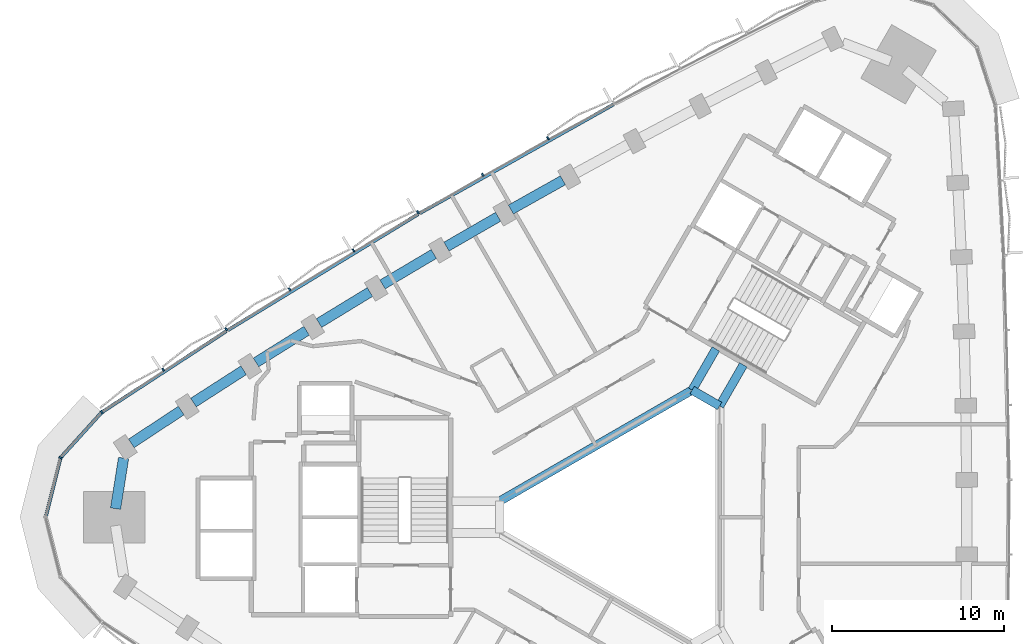
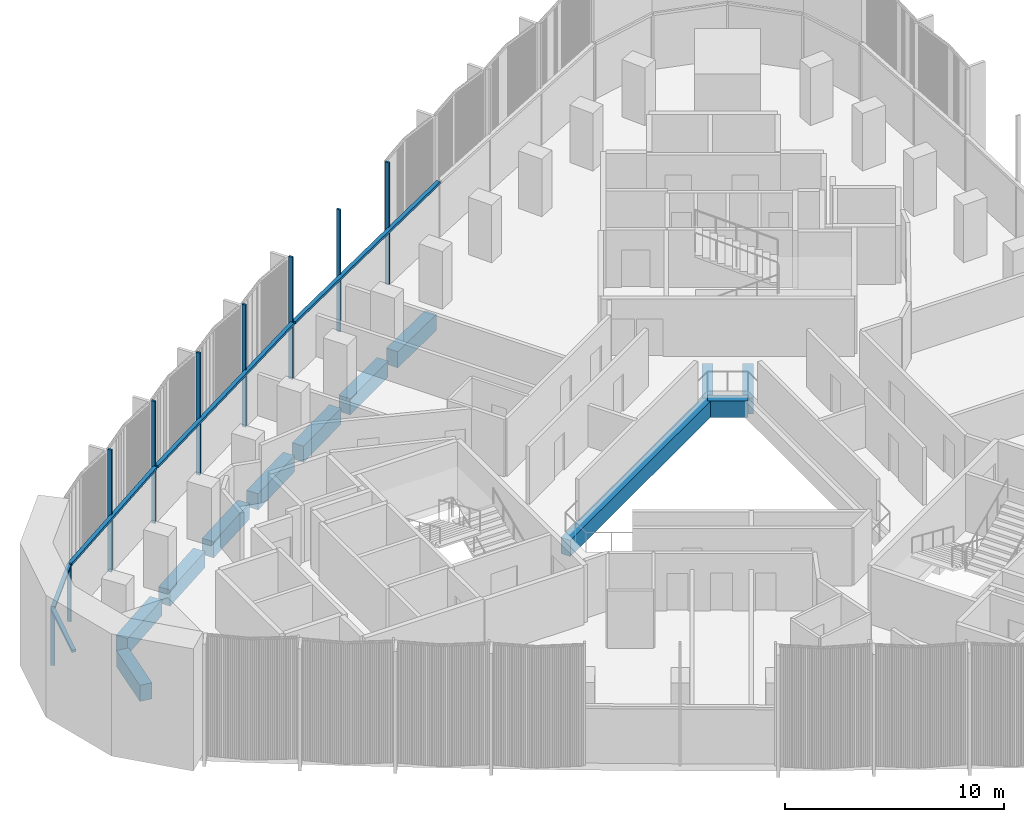
# One storey, part 4 of 14: 14 members, 12 beams, 1 element without a shape of its own.
"""IFC4 building model written with IfcOpenShell, lengths in metres."""

import ifcopenshell
import ifcopenshell.guid

model = None  # the IFC model being written
_history = None  # IfcOwnerHistory: only IFC2X3 demands one
_inside = {}  # id of a spatial element -> (the spatial element, [elements in it])
_under = {}  # id of a project, library or spatial element -> (it, [spatial elements below it])
_declared = {}  # id of a project -> (the project, [libraries it declares])
_typed = {}  # id of a type object -> (the type object, [elements of that type])
_made_of = {}  # id of a material, layer set ... -> (it, [elements and type objects made of it])


def new_model(schema):
    """Start an empty IFC model of exactly this schema.

    Asked for "IFC4X3", IfcOpenShell would pick the latest addendum, in which some entities
    have other attributes; the version numbers below select the first issue.
    IFC2X3 requires an IfcOwnerHistory on every rooted entity: one is made here for all.
    """
    global model, _history
    if schema == "IFC4X3":
        model = ifcopenshell.file(schema_version=(4, 3, 0, 0))
    else:
        model = ifcopenshell.file(schema=schema)
    _inside.clear()
    _under.clear()
    _declared.clear()
    _typed.clear()
    _made_of.clear()
    _history = None
    if model.schema == "IFC2X3":
        org = make("IfcOrganization", Name="unknown")
        user = make(
            "IfcPersonAndOrganization",
            ThePerson=make("IfcPerson", FamilyName="unknown"),
            TheOrganization=org,
        )
        app = make(
            "IfcApplication",
            ApplicationDeveloper=org,
            Version="unknown",
            ApplicationFullName="unknown",
            ApplicationIdentifier="unknown",
        )
        _history = make(
            "IfcOwnerHistory",
            OwningUser=user,
            OwningApplication=app,
            ChangeAction="ADDED",
            CreationDate=0,
        )
    return model


def make(cls, **values):
    """One entity of the class cls with the attributes given. An attribute that is None is left unset."""
    return model.create_entity(
        cls, **{name: value for name, value in values.items() if value is not None}
    )


def rooted(cls, **values):
    """An entity with a GlobalId (a new one), such as an element, a storey or a relation."""
    return make(cls, GlobalId=ifcopenshell.guid.new(), OwnerHistory=_history, **values)


def si_unit(unit_type, name, prefix=None):
    """IfcSIUnit, for example si_unit("LENGTHUNIT", "METRE", prefix="MILLI")."""
    return make("IfcSIUnit", UnitType=unit_type, Prefix=prefix, Name=name)


def assignment(units):
    """IfcUnitAssignment: the units of a project."""
    return None if units is None else make("IfcUnitAssignment", Units=units)


def point(xyz):
    """IfcCartesianPoint."""
    return None if xyz is None else make("IfcCartesianPoint", Coordinates=xyz)


def direction(xyz):
    """IfcDirection."""
    return None if xyz is None else make("IfcDirection", DirectionRatios=xyz)


def frame(location, z_axis=None, x_axis=None):
    """IfcAxis2Placement3D, a coordinate frame: its origin and axes. An axis left out is left unset."""
    return make(
        "IfcAxis2Placement3D",
        Location=point(location),
        Axis=direction(z_axis),
        RefDirection=direction(x_axis),
    )


def frame_2d(location, x_axis=None):
    """IfcAxis2Placement2D, a coordinate frame in the plane: its origin and x axis."""
    return make(
        "IfcAxis2Placement2D", Location=point(location), RefDirection=direction(x_axis)
    )


def origin():
    """The frame at (0, 0, 0) with its axes left unset."""
    return frame((0.0, 0.0, 0.0))


def origin_2d():
    """The frame at (0, 0) in the plane with its x axis left unset."""
    return frame_2d((0.0, 0.0))


def place(relative_to, where):
    """IfcLocalPlacement: puts the frame where relative to a parent placement (None: the world)."""
    return make(
        "IfcLocalPlacement", PlacementRelTo=relative_to, RelativePlacement=where
    )


def context(
    kind, dimensions, precision=None, world=None, true_north=None, identifier=None
):
    """IfcGeometricRepresentationContext, for example the 3D "Model" context."""
    return make(
        "IfcGeometricRepresentationContext",
        ContextIdentifier=identifier,
        ContextType=kind,
        CoordinateSpaceDimension=dimensions,
        Precision=precision,
        WorldCoordinateSystem=world,
        TrueNorth=true_north,
    )


def subcontext(parent, identifier, kind, view, scale=None):
    """IfcGeometricRepresentationSubContext, for example "Body" below "Model"."""
    return make(
        "IfcGeometricRepresentationSubContext",
        ContextIdentifier=identifier,
        ContextType=kind,
        ParentContext=parent,
        TargetScale=scale,
        TargetView=view,
    )


def project(units=None, contexts=None):
    """IfcProject with its units and contexts."""
    return rooted(
        "IfcProject",
        Name="project",
        RepresentationContexts=contexts,
        UnitsInContext=assignment(units),
    )


def spatial(cls, under=None, at=None, **own):
    """A site, building, storey or space (cls), placed at a placement, below another one or the project."""
    s = rooted(cls, ObjectPlacement=at, **own)
    if under is not None:
        _under.setdefault(under.id(), (under, []))[1].append(s)
    return s


def profile(cls, at=None, kind="AREA", **sizes):
    """A parametric profile (cls). Its sizes go by their IFC names, for example OverallWidth=200.0."""
    return make(cls, ProfileType=kind, Position=at, **sizes)


def rectangle(**sizes):
    """IfcRectangleProfileDef."""
    return profile("IfcRectangleProfileDef", **sizes)


def extrude(swept, where, along, depth):
    """IfcExtrudedAreaSolid: the profile swept, set in the frame where, extruded along a direction by depth."""
    return make(
        "IfcExtrudedAreaSolid",
        SweptArea=swept,
        Position=where,
        ExtrudedDirection=direction(along),
        Depth=depth,
    )


def shape(context_of_items, identifier, shape_type, items):
    """IfcShapeRepresentation: the items that make up one representation, for example the "Body"."""
    return make(
        "IfcShapeRepresentation",
        ContextOfItems=context_of_items,
        RepresentationIdentifier=identifier,
        RepresentationType=shape_type,
        Items=items,
    )


def material(Name=None, Category=None):
    """IfcMaterial."""
    return make("IfcMaterial", Name=Name, Category=Category)


def material_profile(
    of_material, cross_section, Name=None, Category=None, Priority=None
):
    """IfcMaterialProfile: a cross section and its material."""
    return make(
        "IfcMaterialProfile",
        Name=Name,
        Material=of_material,
        Profile=cross_section,
        Priority=Priority,
        Category=Category,
    )


def profile_set(profiles, Name=None, composite=None):
    """IfcMaterialProfileSet."""
    return make(
        "IfcMaterialProfileSet",
        Name=Name,
        MaterialProfiles=profiles,
        CompositeProfile=composite,
    )


def made_of(thing, what):
    """Note that an element or type object is made of a material, layer set ...; save() writes the relation."""
    if what is not None:
        _made_of.setdefault(what.id(), (what, []))[1].append(thing)
    return thing


def type_object(cls, material=None, **own):
    """A type object (cls), such as IfcWallType, which elements share."""
    return made_of(rooted(cls, **own), material)


def element(
    cls,
    number,
    at=None,
    inside=None,
    cuts=None,
    type_object=None,
    material=None,
    context=None,
    identifier="Body",
    shape_type=None,
    held_by="IfcProductDefinitionShape",
    body=None,
    shapes=None,
    **own,
):
    """One element of the class cls, such as IfcWall. Its Tag is "e" and its number.

    at: its placement. inside: the storey or other place that contains it. cuts: it is an
    opening in that element (IfcRelVoidsElement). A single representation is given by context,
    identifier, shape_type and body (its items); several are given by shapes. held_by: the class
    of the entity that holds the representations. save() writes the other relations.
    """
    e = rooted(cls, Tag="e%d" % number, ObjectPlacement=at, **own)
    if body is not None:
        shapes = [shape(context, identifier, shape_type, body)]
    if shapes is not None:
        e.Representation = make(held_by, Representations=shapes)
    if inside is not None:
        _inside.setdefault(inside.id(), (inside, []))[1].append(e)
    if cuts is not None:
        rooted(
            "IfcRelVoidsElement", RelatingBuildingElement=cuts, RelatedOpeningElement=e
        )
    if type_object is not None:
        _typed.setdefault(type_object.id(), (type_object, []))[1].append(e)
    return made_of(e, material)


def aggregate(whole, parts):
    """IfcRelAggregates: a whole, such as a stair, and the parts it consists of."""
    return rooted("IfcRelAggregates", RelatingObject=whole, RelatedObjects=parts)


def save(model, path):
    """Write the relations noted so far, then the file.

    IfcRelAggregates (storeys below a building ...), IfcRelContainedInSpatialStructure (elements
    in a storey), IfcRelDefinesByType, IfcRelAssociatesMaterial and IfcRelDeclares: one each for
    every whole, place, type object, material and project.
    """
    for whole, parts in _under.values():
        aggregate(whole, parts)
    for where, things in _inside.values():
        rooted(
            "IfcRelContainedInSpatialStructure",
            RelatedElements=things,
            RelatingStructure=where,
        )
    for kind, things in _typed.values():
        rooted("IfcRelDefinesByType", RelatedObjects=things, RelatingType=kind)
    for what, things in _made_of.values():
        rooted("IfcRelAssociatesMaterial", RelatedObjects=things, RelatingMaterial=what)
    for by, libraries in _declared.values():
        rooted("IfcRelDeclares", RelatingContext=by, RelatedDefinitions=libraries)
    model.write(path)


model = new_model("IFC4")

# Units and contexts
model_context = context("Model", 3, precision=1e-05, world=origin(), true_north=direction((0.0, 1.0)))
body_context = subcontext(model_context, "Body", "Model", "MODEL_VIEW")
ifc_project = project(units=[si_unit("LENGTHUNIT", "METRE"), si_unit("AREAUNIT", "SQUARE_METRE"), si_unit("VOLUMEUNIT", "CUBIC_METRE"), si_unit("PLANEANGLEUNIT", "RADIAN"), si_unit("MASSUNIT", "GRAM", prefix="KILO")], contexts=[model_context])

# Site, building, storey
site_placement = place(None, origin())
site = spatial("IfcSite", under=ifc_project, at=site_placement, CompositionType="ELEMENT")
building_placement = place(site_placement, origin())
building = spatial("IfcBuilding", under=site, at=building_placement, Name="Tamra Quay Hotel Tower", CompositionType="ELEMENT")
storey_placement = place(building_placement, frame((0.0, 0.0, 139.60009765625)))
storey = spatial("IfcBuildingStorey", under=building, at=storey_placement, Name="L34", CompositionType="ELEMENT", Elevation=139.60009765625)

# Beams
ifc_material_1 = material(Name="Concrete M60", Category="concrete")
ifc_material_profile_1 = material_profile(ifc_material_1, rectangle(XDim=0.5, YDim=0.89990234375, at=origin_2d()), Name="ATRIUM EDGE BEAM RC 500x900")
ifc_profile_set_1 = profile_set([ifc_material_profile_1], Name="Concrete M60")
beam_type_1 = type_object("IfcBeamType", Name="ATRIUM EDGE BEAM RC 500x900", PredefinedType="BEAM", material=ifc_profile_set_1)
beam_1_placement = place(storey_placement, frame((-8.0, 0.923828125, -0.85009765625), z_axis=(0.866024942741, 0.500000798549, 0.0), x_axis=(-0.500000798549, 0.866024942741, 0.0)))
element("IfcBeam", 1, at=beam_1_placement, inside=storey, type_object=beam_type_1, Name="BM-AB4-L34", PredefinedType="BEAM", context=body_context, shape_type="SweptSolid", body=[
    extrude(rectangle(XDim=0.5, YDim=0.89990234375, at=origin_2d()), origin(), (0.0, 0.0, 1.0), 12.9326171875),
])
beam_2_placement = place(storey_placement, frame((3.199951171875, 7.39013671875, -0.85009765625), z_axis=(0.86602275259, -0.500004591975, 0.0), x_axis=(0.500004591975, 0.86602275259, 0.0)))
element("IfcBeam", 2, at=beam_2_placement, inside=storey, type_object=beam_type_1, Name="BM-AB5-L34", PredefinedType="BEAM", context=body_context, shape_type="SweptSolid", body=[
    extrude(rectangle(XDim=0.5, YDim=0.89990234375, at=origin_2d()), origin(), (0.0, 0.0, 1.0), 1.84765625),
])
ifc_material_profile_2 = material_profile(ifc_material_1, rectangle(XDim=0.5, YDim=0.89990234375, at=origin_2d()), Name="ATRIUM TIE BEAM RC 500x900")
ifc_profile_set_2 = profile_set([ifc_material_profile_2], Name="Concrete M60")
beam_type_2 = type_object("IfcBeamType", Name="ATRIUM TIE BEAM RC 500x900", PredefinedType="BEAM", material=ifc_profile_set_2)
for number, where, z_axis, x_axis, name in (
    (3, (4.800048828125, 6.46630859375, -0.85009765625), (0.500008091576, 0.86602073206, 0.0), (-0.86602073206, 0.500008091576, 0.0), "BM-TIE-0-L34"),
    (4, (3.199951171875, 7.39013671875, -0.85009765625), (0.500008091576, 0.86602073206, 0.0), (-0.86602073206, 0.500008091576, 0.0), "BM-TIE-5-L34"),
):
    element("IfcBeam", number, at=place(storey_placement, frame(where, z_axis=z_axis, x_axis=x_axis)), inside=storey, type_object=beam_type_2, Name=name, PredefinedType="BEAM", context=body_context, shape_type="SweptSolid", body=[
        extrude(rectangle(XDim=0.5, YDim=0.89990234375, at=origin_2d()), origin(), (0.0, 0.0, 1.0), 2.76220703125),
    ])

# Curtain wall, members
ifc_material_2 = material(Name="Aluminium 6063 anodised dark grey", Category="aluminium")
curtain_wall_type = type_object("IfcCurtainWallType", Name="CW2 CURTAIN WALL", PredefinedType="NOTDEFINED", material=ifc_material_2)
curtain_wall_placement = place(storey_placement, origin())
curtain_wall = element("IfcCurtainWall", 5, at=curtain_wall_placement, inside=storey, type_object=curtain_wall_type, Name="CW2 north-west face L34", PredefinedType="NOTDEFINED")
ifc_material_profile_3 = material_profile(ifc_material_2, rectangle(XDim=0.199951171875, YDim=0.10009765625, at=origin_2d()), Name="MULLION 100X200")
ifc_profile_set_3 = profile_set([ifc_material_profile_3], Name="Aluminium 6063 anodised dark grey")
member_type_1 = type_object("IfcMemberType", Name="MULLION CW2 Z3", PredefinedType="MULLION", material=ifc_profile_set_3)
member_1_placement = place(storey_placement, frame((-5.185546875, 22.039306640625, 0.0), z_axis=(0.0, 0.0, 1.0), x_axis=(-0.484394695404, 0.874849575107, 0.0)))
member_1 = element("IfcMember", 6, at=member_1_placement, type_object=member_type_1, Name="CW2 mullion L34.NW.5", PredefinedType="MULLION", context=body_context, shape_type="SweptSolid", body=[
    extrude(rectangle(XDim=0.199951171875, YDim=0.10009765625, at=origin_2d()), origin(), (0.0, 0.0, 1.0), 6.7998046875),
])
member_2_placement = place(storey_placement, frame((-8.98046875, 19.908447265625, 0.0), z_axis=(0.0, 0.0, 1.0), x_axis=(-0.494813499493, 0.86899919489, 0.0)))
member_2 = element("IfcMember", 7, at=member_2_placement, type_object=member_type_1, Name="CW2 mullion L34.NW.6", PredefinedType="MULLION", context=body_context, shape_type="SweptSolid", body=[
    extrude(rectangle(XDim=0.199951171875, YDim=0.10009765625, at=origin_2d()), origin(), (0.0, 0.0, 1.0), 6.7998046875),
])
member_3_placement = place(storey_placement, frame((-12.7509765625, 17.731689453125, 0.0), z_axis=(0.0, 0.0, 1.0), x_axis=(-0.505168628897, 0.863020658141, 0.0)))
member_3 = element("IfcMember", 8, at=member_3_placement, type_object=member_type_1, Name="CW2 mullion L34.NW.7", PredefinedType="MULLION", context=body_context, shape_type="SweptSolid", body=[
    extrude(rectangle(XDim=0.199951171875, YDim=0.10009765625, at=origin_2d()), origin(), (0.0, 0.0, 1.0), 6.7998046875),
])
member_4_placement = place(storey_placement, frame((-16.493896484375, 15.510498046875, 0.0), z_axis=(0.0, 0.0, 1.0), x_axis=(-0.515444608831, 0.856922899231, 0.0)))
member_4 = element("IfcMember", 9, at=member_4_placement, type_object=member_type_1, Name="CW2 mullion L34.NW.8", PredefinedType="MULLION", context=body_context, shape_type="SweptSolid", body=[
    extrude(rectangle(XDim=0.199951171875, YDim=0.10009765625, at=origin_2d()), origin(), (0.0, 0.0, 1.0), 6.7998046875),
])
member_5_placement = place(storey_placement, frame((-20.211181640625, 13.244140625, 0.0), z_axis=(0.0, 0.0, 1.0), x_axis=(-0.525646070237, 0.850703361251, 0.0)))
member_5 = element("IfcMember", 10, at=member_5_placement, type_object=member_type_1, Name="CW2 mullion L34.NW.9", PredefinedType="MULLION", context=body_context, shape_type="SweptSolid", body=[
    extrude(rectangle(XDim=0.199951171875, YDim=0.10009765625, at=origin_2d()), origin(), (0.0, 0.0, 1.0), 6.7998046875),
])
member_6_placement = place(storey_placement, frame((-23.9013671875, 10.93359375, 0.0), z_axis=(0.0, 0.0, 1.0), x_axis=(-0.535760469724, 0.844370013135, 0.0)))
member_6 = element("IfcMember", 11, at=member_6_placement, type_object=member_type_1, Name="CW2 mullion L34.NW.10", PredefinedType="MULLION", context=body_context, shape_type="SweptSolid", body=[
    extrude(rectangle(XDim=0.199951171875, YDim=0.10009765625, at=origin_2d()), origin(), (0.0, 0.0, 1.0), 6.7998046875),
])
member_7_placement = place(storey_placement, frame((-27.562255859375, 8.580078125, 0.0), z_axis=(0.0, 0.0, 1.0), x_axis=(-0.545780333841, 0.83792829478, 0.0)))
member_7 = element("IfcMember", 12, at=member_7_placement, type_object=member_type_1, Name="CW2 mullion L34.NW.11", PredefinedType="MULLION", context=body_context, shape_type="SweptSolid", body=[
    extrude(rectangle(XDim=0.199951171875, YDim=0.10009765625, at=origin_2d()), origin(), (0.0, 0.0, 1.0), 6.7998046875),
])
member_8_placement = place(storey_placement, frame((-31.139892578125, 6.099365234375, 0.0), z_axis=(0.0, 0.0, 1.0), x_axis=(-0.650989203966, 0.759086988638, 0.0)))
member_8 = element("IfcMember", 13, at=member_8_placement, type_object=member_type_1, Name="CW2 mullion L34.NW.12", PredefinedType="MULLION", context=body_context, shape_type="SweptSolid", body=[
    extrude(rectangle(XDim=0.199951171875, YDim=0.10009765625, at=origin_2d()), origin(), (0.0, 0.0, 1.0), 3.199951171875),
])
member_9_placement = place(storey_placement, frame((-33.533935546875, 3.4580078125, 0.0), z_axis=(0.0, 0.0, 1.0), x_axis=(-0.881925145425, 0.47138947577, 0.0)))
member_9 = element("IfcMember", 14, at=member_9_placement, type_object=member_type_1, Name="CW2 mullion L34.NW.13", PredefinedType="MULLION", context=body_context, shape_type="SweptSolid", body=[
    extrude(rectangle(XDim=0.199951171875, YDim=0.10009765625, at=origin_2d()), origin(), (0.0, 0.0, 1.0), 3.199951171875),
])

# Beams
ifc_material_profile_4 = material_profile(ifc_material_1, rectangle(XDim=0.60009765625, YDim=0.89990234375, at=origin_2d()), Name="SPANDREL BEAM RC 600x900")
ifc_profile_set_4 = profile_set([ifc_material_profile_4], Name="Concrete M60")
beam_type_3 = type_object("IfcBeamType", Name="SPANDREL BEAM RC 600x900", PredefinedType="SPANDREL", material=ifc_profile_set_4)
beam_3_placement = place(storey_placement, frame((-4.315185546875, 19.59130859375, -0.85009765625), z_axis=(-0.871956406858, -0.489583521516, 0.0), x_axis=(0.489583521516, -0.871956406858, 0.0)))
element("IfcBeam", 15, at=beam_3_placement, inside=storey, type_object=beam_type_3, Name="BM-SP3-017-L34", PredefinedType="SPANDREL", context=body_context, shape_type="SweptSolid", body=[
    extrude(rectangle(XDim=0.60009765625, YDim=0.89990234375, at=origin_2d()), origin(), (0.0, 0.0, 1.0), 3.47265625),
])
beam_4_placement = place(storey_placement, frame((-8.081787109375, 17.470458984375, -0.85009765625), z_axis=(-0.866032201241, -0.499988226275, 0.0), x_axis=(0.499988226275, -0.866032201241, 0.0)))
element("IfcBeam", 16, at=beam_4_placement, inside=storey, type_object=beam_type_3, Name="BM-SP3-018-L34", PredefinedType="SPANDREL", context=body_context, shape_type="SweptSolid", body=[
    extrude(rectangle(XDim=0.60009765625, YDim=0.89990234375, at=origin_2d()), origin(), (0.0, 0.0, 1.0), 3.47216796875),
])
beam_5_placement = place(storey_placement, frame((-11.822509765625, 15.304931640625, -0.85009765625), z_axis=(-0.859988767784, -0.510312962098, 0.0), x_axis=(0.510312962098, -0.859988767784, 0.0)))
element("IfcBeam", 17, at=beam_5_placement, inside=storey, type_object=beam_type_3, Name="BM-SP3-019-L34", PredefinedType="SPANDREL", context=body_context, shape_type="SweptSolid", body=[
    extrude(rectangle(XDim=0.60009765625, YDim=0.89990234375, at=origin_2d()), origin(), (0.0, 0.0, 1.0), 3.472900390625),
])
for number, where, z_axis, x_axis, name in (
    (18, (-15.53759765625, 13.094482421875, -0.85009765625), (-0.853835813207, -0.520542413339, 0.0), (0.520542413339, -0.853835813207, 0.0), "BM-SP3-020-L34"),
    (19, (-19.225341796875, 10.840087890625, -0.85009765625), (-0.847547681474, -0.530719255, 0.0), (0.530719255, -0.847547681474, 0.0), "BM-SP3-021-L34"),
):
    element("IfcBeam", number, at=place(storey_placement, frame(where, z_axis=z_axis, x_axis=x_axis)), inside=storey, type_object=beam_type_3, Name=name, PredefinedType="SPANDREL", context=body_context, shape_type="SweptSolid", body=[
        extrude(rectangle(XDim=0.60009765625, YDim=0.89990234375, at=origin_2d()), origin(), (0.0, 0.0, 1.0), 3.47216796875),
    ])
beam_6_placement = place(storey_placement, frame((-22.885986328125, 8.5419921875, -0.85009765625), z_axis=(-0.84116020305, -0.540786013878, 0.0), x_axis=(0.540786013878, -0.84116020305, 0.0)))
element("IfcBeam", 20, at=beam_6_placement, inside=storey, type_object=beam_type_3, Name="BM-SP3-022-L34", PredefinedType="SPANDREL", context=body_context, shape_type="SweptSolid", body=[
    extrude(rectangle(XDim=0.60009765625, YDim=0.89990234375, at=origin_2d()), origin(), (0.0, 0.0, 1.0), 3.47314453125),
])
beam_7_placement = place(storey_placement, frame((-26.51953125, 6.199951171875, -0.85009765625), z_axis=(-0.834690851507, -0.55071878705, 0.0), x_axis=(0.55071878705, -0.834690851507, 0.0)))
element("IfcBeam", 21, at=beam_7_placement, inside=storey, type_object=beam_type_3, Name="BM-SP3-023-L34", PredefinedType="SPANDREL", context=body_context, shape_type="SweptSolid", body=[
    extrude(rectangle(XDim=0.60009765625, YDim=0.89990234375, at=origin_2d()), origin(), (0.0, 0.0, 1.0), 3.472412109375),
])
beam_8_placement = place(storey_placement, frame((-29.87060546875, 3.434814453125, -0.85009765625), z_axis=(-0.156337236308, -0.987703735208, 0.0), x_axis=(0.987703735208, -0.156337236308, 0.0)))
element("IfcBeam", 22, at=beam_8_placement, inside=storey, type_object=beam_type_3, Name="BM-SP3-024-L34", PredefinedType="SPANDREL", context=body_context, shape_type="SweptSolid", body=[
    extrude(rectangle(XDim=0.60009765625, YDim=0.89990234375, at=origin_2d()), origin(), (0.0, 0.0, 1.0), 2.97802734375),
])

# Member
ifc_material_profile_5 = material_profile(ifc_material_2, rectangle(XDim=0.199951171875, YDim=0.139892578125, at=origin_2d()), Name="TRANSOM 200X140")
ifc_profile_set_5 = profile_set([ifc_material_profile_5], Name="Aluminium 6063 anodised dark grey")
member_type_2 = type_object("IfcMemberType", Name="TRANSOM CW2 Z3", PredefinedType="USERDEFINED", material=ifc_profile_set_5)
member_10_placement = place(storey_placement, frame((-1.360595703125, 24.013671875, 3.1298828125), z_axis=(-0.871941163172, -0.489610669783, 0.0), x_axis=(0.489610669783, -0.871941163172, 0.0)))
member_10 = element("IfcMember", 23, at=member_10_placement, type_object=member_type_2, Name="CW2 transom L34.NW.4", ObjectType="TRANSOM", PredefinedType="USERDEFINED", context=body_context, shape_type="SweptSolid", body=[
    extrude(rectangle(XDim=0.199951171875, YDim=0.139892578125, at=origin_2d()), origin(), (0.0, 0.0, 1.0), 12.955810546875),
])

member_11_placement = place(storey_placement, frame((-12.743408203125, 17.619873046875, 3.1298828125), z_axis=(-0.853830086981, -0.520551805843, 0.0), x_axis=(0.520551805843, -0.853830086981, 0.0)))
member_11 = element("IfcMember", 24, at=member_11_placement, type_object=member_type_2, Name="CW2 transom L34.NW.7", ObjectType="TRANSOM", PredefinedType="USERDEFINED", context=body_context, shape_type="SweptSolid", body=[
    extrude(rectangle(XDim=0.199951171875, YDim=0.139892578125, at=origin_2d()), origin(), (0.0, 0.0, 1.0), 12.955810546875),
])

member_12_placement = place(storey_placement, frame((-23.889892578125, 10.822021484375, 3.1298828125), z_axis=(-0.837927757603, -0.545781158559, 0.0), x_axis=(0.545781158559, -0.837927757603, 0.0)))
member_12 = element("IfcMember", 25, at=member_12_placement, type_object=member_type_2, Name="CW2 transom L34.NW.10", ObjectType="TRANSOM", PredefinedType="USERDEFINED", context=body_context, shape_type="SweptSolid", body=[
    extrude(rectangle(XDim=0.199951171875, YDim=0.139892578125, at=origin_2d()), origin(), (0.0, 0.0, 1.0), 8.6025390625),
])

member_13_placement = place(storey_placement, frame((-31.17333984375, 6.0625, 3.1298828125), z_axis=(-0.671553275013, -0.740956273217, 0.0), x_axis=(0.740956273217, -0.671553275013, 0.0)))
member_13 = element("IfcMember", 26, at=member_13_placement, type_object=member_type_2, Name="CW2 transom L34.NW.12", ObjectType="TRANSOM", PredefinedType="USERDEFINED", context=body_context, shape_type="SweptSolid", body=[
    extrude(rectangle(XDim=0.199951171875, YDim=0.139892578125, at=origin_2d()), origin(), (0.0, 0.0, 1.0), 3.46484375),
])

member_14_placement = place(storey_placement, frame((-33.5458984375, 3.409423828125, 3.1298828125), z_axis=(-0.243032991535, -0.970018023042, 0.0), x_axis=(0.970018023042, -0.243032991535, 0.0)))
member_14 = element("IfcMember", 27, at=member_14_placement, type_object=member_type_2, Name="CW2 transom L34.NW.13", ObjectType="TRANSOM", PredefinedType="USERDEFINED", context=body_context, shape_type="SweptSolid", body=[
    extrude(rectangle(XDim=0.199951171875, YDim=0.139892578125, at=origin_2d()), origin(), (0.0, 0.0, 1.0), 3.464599609375),
])

aggregate(curtain_wall, [member_10, member_1, member_2, member_3, member_11, member_4, member_5, member_6, member_12, member_7, member_8, member_13, member_9, member_14])

save(model, "model.ifc")
